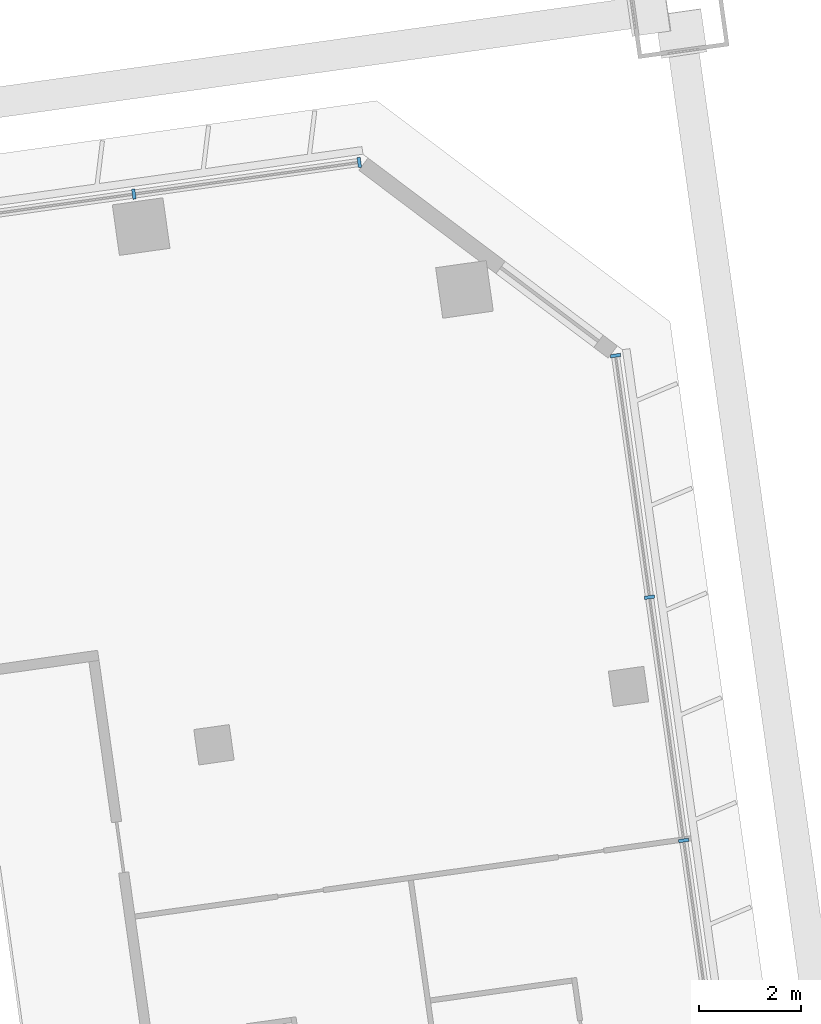
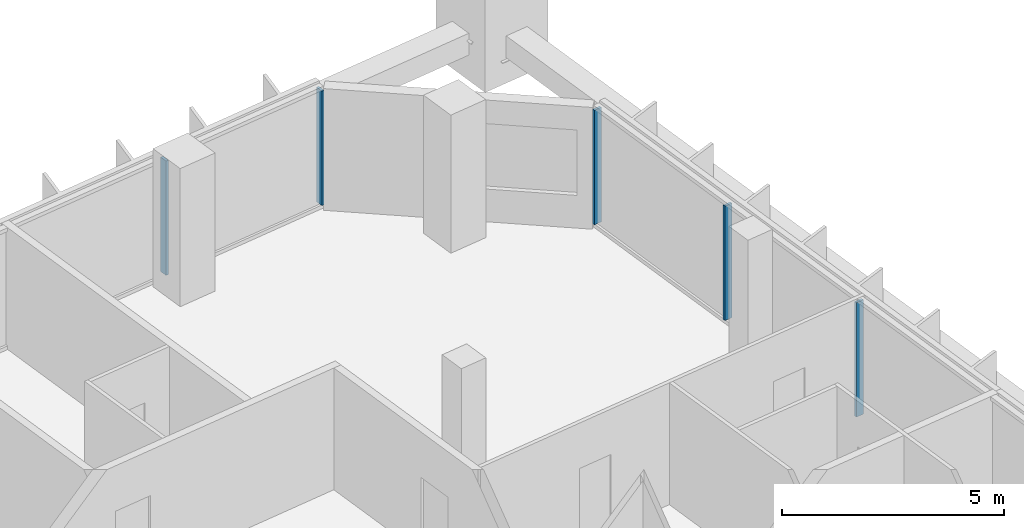
# One storey, part 22 of 46: 5 members, 2 elements without a shape of their own.
"""IFC4 building model written with IfcOpenShell, lengths in metres."""

from ifc_helpers import new_model, si_unit, direction, frame, origin, origin_2d, place, context, subcontext, project, spatial, rectangle, extrude, material, material_profile, profile_set, type_object, element, aggregate, save


model = new_model("IFC4")

# Units and contexts
model_context = context("Model", 3, precision=1e-05, world=origin(), true_north=direction((0.0, 1.0)))
body_context = subcontext(model_context, "Body", "Model", "MODEL_VIEW")
ifc_project = project(units=[si_unit("LENGTHUNIT", "METRE"), si_unit("AREAUNIT", "SQUARE_METRE"), si_unit("VOLUMEUNIT", "CUBIC_METRE"), si_unit("PLANEANGLEUNIT", "RADIAN"), si_unit("MASSUNIT", "GRAM", prefix="KILO")], contexts=[model_context])

# Site, building, storey
site_placement = place(None, origin())
site = spatial("IfcSite", under=ifc_project, at=site_placement, CompositionType="ELEMENT")
building_placement = place(site_placement, origin())
building = spatial("IfcBuilding", under=site, at=building_placement, Name="Mirante Cascada Hotel Towers", CompositionType="ELEMENT")
storey_placement = place(building_placement, frame((0.0, 0.0, 39.5)))
storey = spatial("IfcBuildingStorey", under=building, at=storey_placement, Name="L06", CompositionType="ELEMENT", Elevation=39.5)

# Curtain wall, members
ifc_material_1 = material(Name="Aluminium mullion and transom frame with clear laminated glass", Category="aluminium")
curtain_wall_type_1 = type_object("IfcCurtainWallType", Name="Ribbon curtain wall ECW1", PredefinedType="NOTDEFINED", material=ifc_material_1)
curtain_wall_1_placement = place(storey_placement, origin())
curtain_wall_1 = element("IfcCurtainWall", 1, at=curtain_wall_1_placement, inside=storey, type_object=curtain_wall_type_1, Name="Front ribbon wall T2 L06", PredefinedType="NOTDEFINED")
ifc_material_2 = material(Name="Anodised aluminium extrusion", Category="aluminium")
ifc_material_profile_1 = material_profile(ifc_material_2, rectangle(XDim=0.2, YDim=0.065, at=origin_2d()), Name="ECW1 MULLION 65x200")
ifc_profile_set_1 = profile_set([ifc_material_profile_1], Name="Anodised aluminium extrusion")
member_type_1 = type_object("IfcMemberType", Name="ECW1 mullion 65x200", PredefinedType="MULLION", material=ifc_profile_set_1)
member_1_placement = place(storey_placement, frame((94.126, 26.0476, 0.1), z_axis=(0.0, 0.0, 1.0), x_axis=(0.1391731, -0.9902681, 0.0)))
member_1 = element("IfcMember", 2, at=member_1_placement, type_object=member_type_1, Name="ECW1 mullion 1", PredefinedType="MULLION", context=body_context, shape_type="SweptSolid", body=[
    extrude(rectangle(XDim=0.2, YDim=0.065, at=origin_2d()), origin(), (0.0, 0.0, 1.0), 3.15),
])
member_2_placement = place(storey_placement, frame((89.7107, 25.427, 0.1), z_axis=(0.0, 0.0, 1.0), x_axis=(0.1391731, -0.9902681, 0.0)))
member_2 = element("IfcMember", 3, at=member_2_placement, type_object=member_type_1, Name="ECW1 mullion 2", PredefinedType="MULLION", context=body_context, shape_type="SweptSolid", body=[
    extrude(rectangle(XDim=0.2, YDim=0.065, at=origin_2d()), origin(), (0.0, 0.0, 1.0), 3.15),
])
aggregate(curtain_wall_1, [member_1, member_2])

ifc_material_3 = material(Name="Aluminium mullion and transom frame with clear laminated glass", Category="aluminium")
curtain_wall_type_2 = type_object("IfcCurtainWallType", Name="End ribbon curtain wall ECW2", PredefinedType="NOTDEFINED", material=ifc_material_3)
curtain_wall_2_placement = place(storey_placement, origin())
curtain_wall_2 = element("IfcCurtainWall", 4, at=curtain_wall_2_placement, inside=storey, type_object=curtain_wall_type_2, Name="Outer end wall T2 L06", PredefinedType="NOTDEFINED")
ifc_material_4 = material(Name="Anodised aluminium extrusion", Category="aluminium")
ifc_material_profile_2 = material_profile(ifc_material_4, rectangle(XDim=0.2, YDim=0.065, at=origin_2d()), Name="ECW2 MULLION 65x200")
ifc_profile_set_2 = profile_set([ifc_material_profile_2], Name="Anodised aluminium extrusion")
member_type_2 = type_object("IfcMemberType", Name="ECW2 mullion 65x200", PredefinedType="MULLION", material=ifc_profile_set_2)
member_3_placement = place(storey_placement, frame((100.481, 12.7654, 0.1), z_axis=(0.0, 0.0, 1.0), x_axis=(-0.9902681, -0.1391731, 0.0)))
member_3 = element("IfcMember", 5, at=member_3_placement, type_object=member_type_2, Name="ECW2 mullion 5", PredefinedType="MULLION", context=body_context, shape_type="SweptSolid", body=[
    extrude(rectangle(XDim=0.2, YDim=0.065, at=origin_2d()), origin(), (0.0, 0.0, 1.0), 3.15),
])
member_4_placement = place(storey_placement, frame((99.8112, 17.5312, 0.1), z_axis=(0.0, 0.0, 1.0), x_axis=(-0.9902681, -0.1391731, 0.0)))
member_4 = element("IfcMember", 6, at=member_4_placement, type_object=member_type_2, Name="ECW2 mullion 6", PredefinedType="MULLION", context=body_context, shape_type="SweptSolid", body=[
    extrude(rectangle(XDim=0.2, YDim=0.065, at=origin_2d()), origin(), (0.0, 0.0, 1.0), 3.15),
])
member_5_placement = place(storey_placement, frame((99.1459, 22.2648, 0.1), z_axis=(0.0, 0.0, 1.0), x_axis=(-0.9902681, -0.1391731, 0.0)))
member_5 = element("IfcMember", 7, at=member_5_placement, type_object=member_type_2, Name="ECW2 mullion 7", PredefinedType="MULLION", context=body_context, shape_type="SweptSolid", body=[
    extrude(rectangle(XDim=0.2, YDim=0.065, at=origin_2d()), origin(), (0.0, 0.0, 1.0), 3.15),
])
aggregate(curtain_wall_2, [member_3, member_4, member_5])

save(model, "model.ifc")
